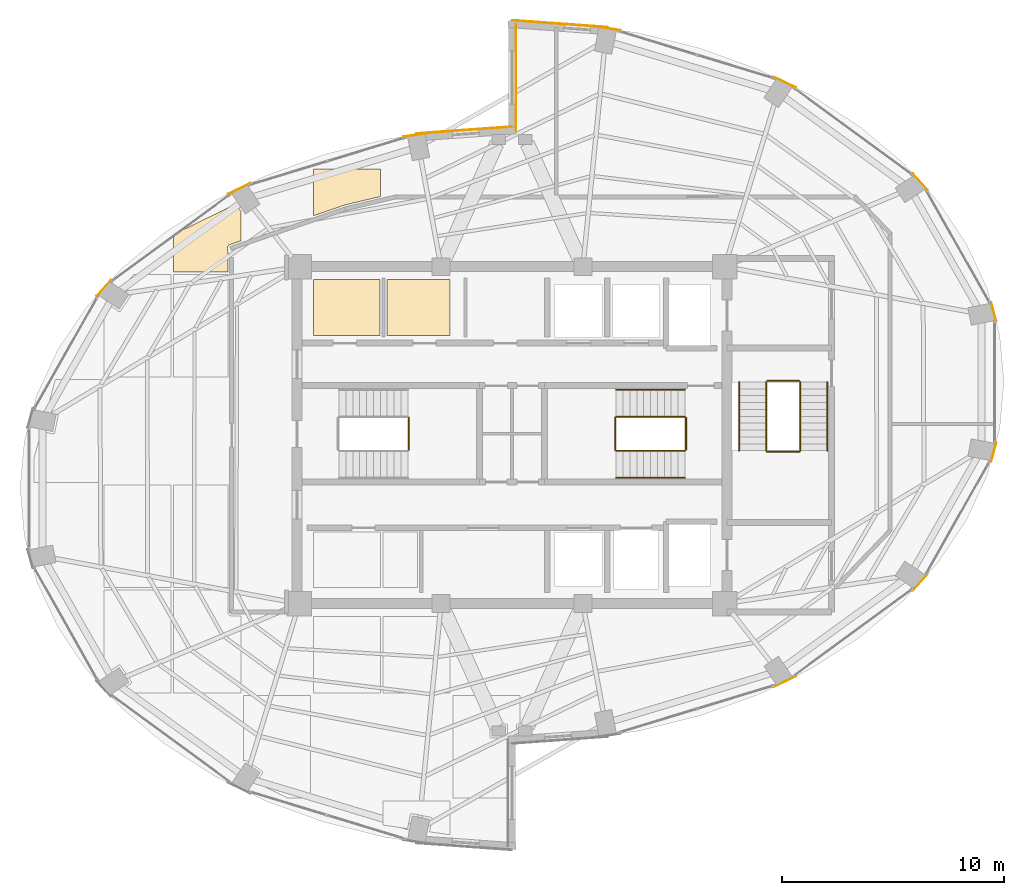
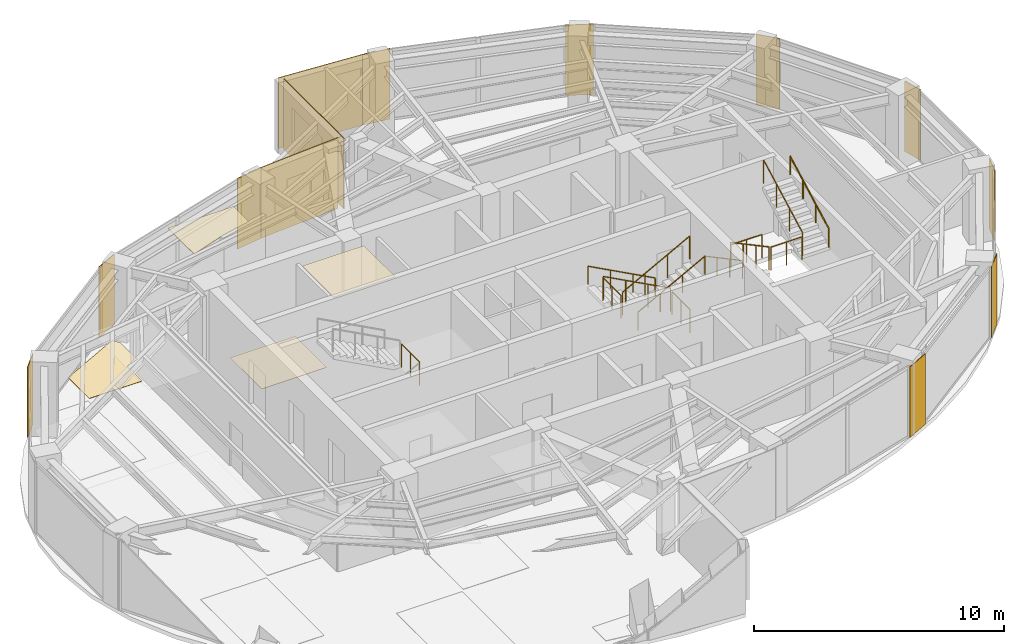
# One storey, part 22 of 22: 17 coverings, 13 railings.
"""IFC4 building model written with IfcOpenShell, lengths in metres."""

from ifc_helpers import new_model, si_unit, direction, frame, origin, origin_2d, place, context, subcontext, project, spatial, polyline, rectangle, circle, outline, extrude, material, layer, layer_set, type_object, element, save


model = new_model("IFC4")

# Units and contexts
model_context = context("Model", 3, precision=1e-05, world=origin(), true_north=direction((0.0, 1.0)))
body_context = subcontext(model_context, "Body", "Model", "MODEL_VIEW")
ifc_project = project(units=[si_unit("LENGTHUNIT", "METRE"), si_unit("AREAUNIT", "SQUARE_METRE"), si_unit("VOLUMEUNIT", "CUBIC_METRE"), si_unit("PLANEANGLEUNIT", "RADIAN"), si_unit("MASSUNIT", "GRAM", prefix="KILO")], contexts=[model_context])

# Site, building, storey
site_placement = place(None, origin())
site = spatial("IfcSite", under=ifc_project, at=site_placement, CompositionType="ELEMENT")
building_placement = place(site_placement, origin())
building = spatial("IfcBuilding", under=site, at=building_placement, Name="Lazwardi Medical Tower", CompositionType="ELEMENT")
storey_placement = place(building_placement, frame((0.0, 0.0, 258.672119140625)))
storey = spatial("IfcBuildingStorey", under=building, at=storey_placement, Name="L67", CompositionType="ELEMENT", Elevation=258.672119140625)

# Coverings
ifc_material_1 = material(Name="Anodised bronze aluminium cassette cladding", Category="aluminium")
ifc_layer_1 = layer(ifc_material_1, 0.030029296875)
ifc_layer_set_1 = layer_set([ifc_layer_1], Name="Anodised bronze aluminium cassette cladding")
covering_type_1 = type_object("IfcCoveringType", Name="COV-CLD-BRZ", PredefinedType="CLADDING", material=ifc_layer_set_1)
covering_1_placement = place(storey_placement, frame((48.311279296875, 16.878662109375, 0.0), z_axis=(0.0, 0.0, 1.0), x_axis=(0.897840141691, 0.440321564278, 0.0)))
element("IfcCovering", 1, at=covering_1_placement, inside=storey, type_object=covering_type_1, Name="L67 Mega-column bronze cassette cover M02", PredefinedType="CLADDING", context=body_context, shape_type="SweptSolid", body=[
    extrude(rectangle(XDim=1.110595703125, YDim=0.030029296875, at=origin_2d()), origin(), (0.0, 0.0, 1.0), 3.447998046875),
])
covering_2_placement = place(storey_placement, frame((54.42529296875, 21.365234375, 0.0), z_axis=(0.0, 0.0, 1.0), x_axis=(0.673240970654, 0.739423150458, 0.0)))
element("IfcCovering", 2, at=covering_2_placement, inside=storey, type_object=covering_type_1, Name="L67 Mega-column bronze cassette cover M03", PredefinedType="CLADDING", context=body_context, shape_type="SweptSolid", body=[
    extrude(rectangle(XDim=0.98974609375, YDim=0.030029296875, at=origin_2d()), origin(), (0.0, 0.0, 1.0), 3.447998046875),
])
for number, where, z_axis, x_axis, name in (
    (3, (57.734130859375, 27.227294921875, 0.0), (0.0, 0.0, 1.0), (0.261641748247, 0.96516506131, 0.0), "L67 Mega-column bronze cassette cover M04"),
    (4, (57.734130859375, 33.572509765625, 0.0), (0.0, 0.0, 1.0), (-0.261641748247, 0.96516506131, 0.0), "L67 Mega-column bronze cassette cover M05"),
):
    element("IfcCovering", number, at=place(storey_placement, frame(where, z_axis=z_axis, x_axis=x_axis)), inside=storey, type_object=covering_type_1, Name=name, PredefinedType="CLADDING", context=body_context, shape_type="SweptSolid", body=[
        extrude(rectangle(XDim=0.894287109375, YDim=0.030029296875, at=origin_2d()), origin(), (0.0, 0.0, 1.0), 3.447998046875),
    ])
covering_3_placement = place(storey_placement, frame((54.42529296875, 39.434814453125, 0.0), z_axis=(0.0, 0.0, 1.0), x_axis=(-0.673240970654, 0.739423150458, 0.0)))
element("IfcCovering", 5, at=covering_3_placement, inside=storey, type_object=covering_type_1, Name="L67 Mega-column bronze cassette cover M06", PredefinedType="CLADDING", context=body_context, shape_type="SweptSolid", body=[
    extrude(rectangle(XDim=0.98974609375, YDim=0.030029296875, at=origin_2d()), origin(), (0.0, 0.0, 1.0), 3.447998046875),
])
covering_4_placement = place(storey_placement, frame((48.311279296875, 43.92138671875, 0.0), z_axis=(0.0, 0.0, 1.0), x_axis=(-0.897840141691, 0.440321564278, 0.0)))
element("IfcCovering", 6, at=covering_4_placement, inside=storey, type_object=covering_type_1, Name="L67 Mega-column bronze cassette cover M07", PredefinedType="CLADDING", context=body_context, shape_type="SweptSolid", body=[
    extrude(rectangle(XDim=1.110595703125, YDim=0.030029296875, at=origin_2d()), origin(), (0.0, 0.0, 1.0), 3.447998046875),
])
for number, where, z_axis, x_axis, name in (
    (7, (40.3232421875, 46.349609375, 0.0), (0.0, 0.0, 1.0), (-0.989512431533, 0.144447733943, 0.0), "L67 Mega-column bronze cassette cover M08"),
    (8, (31.6767578125, 41.549560546875, 0.0), (0.0, 0.0, 1.0), (-0.989512431533, -0.144447733943, 0.0), "L67 Mega-column bronze cassette cover M09"),
):
    element("IfcCovering", number, at=place(storey_placement, frame(where, z_axis=z_axis, x_axis=x_axis)), inside=storey, type_object=covering_type_1, Name=name, PredefinedType="CLADDING", context=body_context, shape_type="SweptSolid", body=[
        extrude(rectangle(XDim=1.188720703125, YDim=0.030029296875, at=origin_2d()), origin(), (0.0, 0.0, 1.0), 3.447998046875),
    ])
covering_5_placement = place(storey_placement, frame((23.688720703125, 39.121337890625, 0.0), z_axis=(0.0, 0.0, 1.0), x_axis=(-0.897840141691, -0.440321564278, 0.0)))
element("IfcCovering", 9, at=covering_5_placement, inside=storey, type_object=covering_type_1, Name="L67 Mega-column bronze cassette cover M10", PredefinedType="CLADDING", context=body_context, shape_type="SweptSolid", body=[
    extrude(rectangle(XDim=1.110595703125, YDim=0.030029296875, at=origin_2d()), origin(), (0.0, 0.0, 1.0), 3.447998046875),
])
covering_6_placement = place(storey_placement, frame((17.57470703125, 34.634765625, 0.0), z_axis=(0.0, 0.0, 1.0), x_axis=(-0.673240970654, -0.739423150458, 0.0)))
element("IfcCovering", 10, at=covering_6_placement, inside=storey, type_object=covering_type_1, Name="L67 Mega-column bronze cassette cover M11", PredefinedType="CLADDING", context=body_context, shape_type="SweptSolid", body=[
    extrude(rectangle(XDim=0.98974609375, YDim=0.030029296875, at=origin_2d()), origin(), (0.0, 0.0, 1.0), 3.447998046875),
])
ifc_material_2 = material(Name="Turquoise glazed ceramic tilework cladding", Category="masonry")
ifc_layer_2 = layer(ifc_material_2, 0.034912109375)
ifc_layer_set_2 = layer_set([ifc_layer_2], Name="Turquoise glazed ceramic tilework cladding")
covering_type_2 = type_object("IfcCoveringType", Name="COV-CLD-TRQ", PredefinedType="CLADDING", material=ifc_layer_set_2)
covering_7_placement = place(storey_placement, frame((38.16259765625, 46.56005859375, 0.0), z_axis=(0.0, 0.0, 1.0), x_axis=(-0.997409491337, 0.071932653157, 0.0)))
element("IfcCovering", 11, at=covering_7_placement, inside=storey, type_object=covering_type_2, Name="L67 Turquoise glazed ceramic tilework cladding", PredefinedType="CLADDING", context=body_context, shape_type="SweptSolid", body=[
    extrude(rectangle(XDim=4.31103515625, YDim=0.034912109375, at=origin_2d()), origin(), (0.0, 0.0, 1.0), 3.447998046875),
])
covering_8_placement = place(storey_placement, frame((33.83740234375, 41.760009765625, 0.0), z_axis=(0.0, 0.0, 1.0), x_axis=(-0.997408989128, -0.071939616387, 0.0)))
element("IfcCovering", 12, at=covering_8_placement, inside=storey, type_object=covering_type_2, Name="L67 Turquoise glazed ceramic tilework cladding", PredefinedType="CLADDING", context=body_context, shape_type="SweptSolid", body=[
    extrude(rectangle(XDim=4.310546875, YDim=0.034912109375, at=origin_2d()), origin(), (0.0, 0.0, 1.0), 3.447998046875),
])
covering_9_placement = place(storey_placement, frame((36.175537109375, 44.139892578125, 0.0), z_axis=(0.0, 0.0, 1.0), x_axis=(0.0, -1.0, 0.0)))
element("IfcCovering", 13, at=covering_9_placement, inside=storey, type_object=covering_type_2, Name="L67 Turquoise glazed ceramic tilework iwan panel", PredefinedType="CLADDING", context=body_context, shape_type="SweptSolid", body=[
    extrude(rectangle(XDim=4.800048828125, YDim=0.034912109375, at=origin_2d()), origin(), (0.0, 0.0, 1.0), 3.447998046875),
])
ifc_material_3 = material(Name="Acoustic mineral fibre tile")
ifc_layer_3 = layer(ifc_material_3, 0.02490234375)
ifc_layer_set_3 = layer_set([ifc_layer_3], Name="Acoustic mineral fibre tile")
covering_type_3 = type_object("IfcCoveringType", Name="COV-CLG-01", PredefinedType="CEILING", material=ifc_layer_set_3)
covering_10_placement = place(storey_placement, frame((0.0, 0.0, 3.302978515625)))
element("IfcCovering", 14, at=covering_10_placement, inside=storey, type_object=covering_type_3, Name="L67 Clinical Acoustic Ceiling 7", PredefinedType="CEILING", context=body_context, shape_type="SweptSolid", body=[
    extrude(outline(polyline([(27.032958984375, 37.89501953125), (28.457763671875, 38.385498046875), (28.461669921875, 38.386962890625), (28.470703125, 38.389404296875), (28.474365234375, 38.390380859375), (30.06298828125, 38.76708984375), (30.06298828125, 40.00244140625), (27.032958984375, 40.00244140625), (27.032958984375, 37.89501953125)])), origin(), (0.0, 0.0, 1.0), 0.02490234375),
])
covering_11_placement = place(storey_placement, frame((0.0, 0.0, 3.302978515625)))
element("IfcCovering", 15, at=covering_11_placement, inside=storey, type_object=covering_type_3, Name="L67 Clinical Acoustic Ceiling 9", PredefinedType="CEILING", context=body_context, shape_type="SweptSolid", body=[
    extrude(outline(polyline([(33.212890625, 35.02001953125), (30.360107421875, 35.02001953125), (30.360107421875, 32.5), (33.212890625, 32.5), (33.212890625, 35.02001953125)])), origin(), (0.0, 0.0, 1.0), 0.02490234375),
])
ifc_material_4 = material(Name="Anti-static hospital vinyl sheet flooring")
ifc_layer_4 = layer(ifc_material_4, 0.014892578125)
ifc_layer_set_4 = layer_set([ifc_layer_4], Name="Anti-static hospital vinyl sheet flooring")
covering_type_4 = type_object("IfcCoveringType", Name="COV-FLR-01", PredefinedType="FLOORING", material=ifc_layer_set_4)
covering_12_placement = place(storey_placement, origin())
element("IfcCovering", 16, at=covering_12_placement, inside=storey, type_object=covering_type_4, Name="L67 Clinical Vinyl Flooring 5", PredefinedType="FLOORING", context=body_context, shape_type="SweptSolid", body=[
    extrude(outline(polyline([(23.762939453125, 38.108642578125), (23.545654296875, 38.43359375), (20.73291015625, 37.057861328125), (20.73291015625, 35.37255859375), (23.175048828125, 35.37255859375), (23.175048828125, 35.982421875), (23.175048828125, 35.986572265625), (23.175537109375, 35.99609375), (23.176513671875, 36.00439453125), (23.177978515625, 36.01416015625), (23.179443359375, 36.021484375), (23.181884765625, 36.031005859375), (23.1845703125, 36.039306640625), (23.18798828125, 36.04833984375), (23.191162109375, 36.055419921875), (23.1953125, 36.064208984375), (23.199462890625, 36.071533203125), (23.20458984375, 36.079833984375), (23.209228515625, 36.086181640625), (23.212158203125, 36.090087890625), (23.1591796875, 36.40625), (23.15869140625, 36.410400390625), (23.15771484375, 36.419921875), (23.156982421875, 36.42724609375), (23.156982421875, 36.436767578125), (23.1572265625, 36.446044921875), (23.158203125, 36.45556640625), (23.1591796875, 36.462158203125), (23.160888671875, 36.4716796875), (23.162841796875, 36.480224609375), (23.16552734375, 36.4892578125), (23.16796875, 36.49658203125), (23.171630859375, 36.50537109375), (23.1748046875, 36.512451171875), (23.17919921875, 36.52099609375), (23.183837890625, 36.5283203125), (23.189208984375, 36.536376953125), (23.19384765625, 36.54248046875), (23.199951171875, 36.550048828125), (23.205078125, 36.5556640625), (23.211669921875, 36.5625), (23.218017578125, 36.56787109375), (23.225341796875, 36.573974609375), (23.2314453125, 36.57861328125), (23.239501953125, 36.583740234375), (23.24658203125, 36.587890625), (23.2548828125, 36.59228515625), (23.2626953125, 36.595947265625), (23.271728515625, 36.599365234375), (23.27490234375, 36.6005859375), (23.762939453125, 36.768798828125), (23.762939453125, 38.108642578125)])), origin(), (0.0, 0.0, 1.0), 0.014892578125),
])
covering_13_placement = place(storey_placement, origin())
element("IfcCovering", 17, at=covering_13_placement, inside=storey, type_object=covering_type_4, Name="L67 Clinical Vinyl Flooring 8", PredefinedType="FLOORING", context=body_context, shape_type="SweptSolid", body=[
    extrude(outline(polyline([(27.032958984375, 32.5), (30.0400390625, 32.5), (30.0400390625, 35.02001953125), (27.04931640625, 35.02001953125), (27.048583984375, 35.014404296875), (27.046630859375, 35.0068359375), (27.0439453125, 34.99951171875), (27.04052734375, 34.9921875), (27.03662109375, 34.985595703125), (27.032958984375, 34.980712890625), (27.032958984375, 32.5)])), origin(), (0.0, 0.0, 1.0), 0.014892578125),
])

# Railings
ifc_material_5 = material(Name="Stainless steel Grade 316", Category="steel")
railing_type_1 = type_object("IfcRailingType", Name="RLG-GRD-1150", PredefinedType="GUARDRAIL", material=ifc_material_5)
railing_1_placement = place(storey_placement, frame((31.35009765625, 27.340087890625, 1.823974609375)))
element("IfcRailing", 18, at=railing_1_placement, inside=storey, type_object=railing_type_1, Name="L67 ST1 stair guard 2", PredefinedType="GUARDRAIL", context=body_context, shape_type="SweptSolid", body=[
    extrude(circle(Radius=0.02392578125, at=origin_2d()), frame((0.0, 0.0, 1.1259765625), z_axis=(0.0, 1.0, 0.0), x_axis=(-1.0, 0.0, 0.0)), (0.0, 0.0, 1.0), 1.43994140625),
    extrude(circle(Radius=0.02099609375, at=origin_2d()), origin(), (0.0, 0.0, 1.0), 1.099853515625),
    extrude(circle(Radius=0.02099609375, at=origin_2d()), frame((0.0, 0.719970703125, 0.0)), (0.0, 0.0, 1.0), 1.099853515625),
    extrude(circle(Radius=0.02099609375, at=origin_2d()), frame((0.0, 1.43994140625, 0.0)), (0.0, 0.0, 1.0), 1.099853515625),
])
railing_2_placement = place(storey_placement, frame((43.800048828125, 28.830078125, 0.165771484375)))
element("IfcRailing", 19, at=railing_2_placement, inside=storey, type_object=railing_type_1, Name="L67 ST2 stair guard 1", PredefinedType="GUARDRAIL", context=body_context, shape_type="SweptSolid", body=[
    extrude(circle(Radius=0.02392578125, at=origin_2d()), frame((0.0, 0.0, 1.1259765625), z_axis=(-0.881783298633, 0.0, 0.471654761719), x_axis=(0.0, -1.0, 0.0)), (0.0, 0.0, 1.0), 3.515625),
    extrude(circle(Radius=0.02099609375, at=origin_2d()), origin(), (0.0, 0.0, 1.0), 1.099853515625),
    extrude(circle(Radius=0.02099609375, at=origin_2d()), frame((-1.033447265625, 0.0, 0.552734375)), (0.0, 0.0, 1.0), 1.099853515625),
    extrude(circle(Radius=0.02099609375, at=origin_2d()), frame((-2.066650390625, 0.0, 1.10546875)), (0.0, 0.0, 1.0), 1.099853515625),
    extrude(circle(Radius=0.02099609375, at=origin_2d()), frame((-3.10009765625, 0.0, 1.658203125)), (0.0, 0.0, 1.0), 1.099853515625),
])
railing_3_placement = place(storey_placement, frame((40.64990234375, 28.780029296875, 1.823974609375)))
element("IfcRailing", 20, at=railing_3_placement, inside=storey, type_object=railing_type_1, Name="L67 ST2 stair guard 2", PredefinedType="GUARDRAIL", context=body_context, shape_type="SweptSolid", body=[
    extrude(circle(Radius=0.02392578125, at=origin_2d()), frame((0.0, 0.0, 1.1259765625), z_axis=(0.0, -1.0, 0.0), x_axis=(1.0, 0.0, 0.0)), (0.0, 0.0, 1.0), 1.43994140625),
    extrude(circle(Radius=0.02099609375, at=origin_2d()), origin(), (0.0, 0.0, 1.0), 1.099853515625),
    extrude(circle(Radius=0.02099609375, at=origin_2d()), frame((0.0, -0.719970703125, 0.0)), (0.0, 0.0, 1.0), 1.099853515625),
    extrude(circle(Radius=0.02099609375, at=origin_2d()), frame((0.0, -1.43994140625, 0.0)), (0.0, 0.0, 1.0), 1.099853515625),
])
railing_4_placement = place(storey_placement, frame((40.699951171875, 27.2900390625, 1.98974609375)))
element("IfcRailing", 21, at=railing_4_placement, inside=storey, type_object=railing_type_1, Name="L67 ST2 stair guard 3", PredefinedType="GUARDRAIL", context=body_context, shape_type="SweptSolid", body=[
    extrude(circle(Radius=0.02392578125, at=origin_2d()), frame((0.0, 0.0, 1.1259765625), z_axis=(0.881783298633, 0.0, 0.471654761719), x_axis=(0.0, 1.0, 0.0)), (0.0, 0.0, 1.0), 3.515625),
    extrude(circle(Radius=0.02099609375, at=origin_2d()), origin(), (0.0, 0.0, 1.0), 1.099853515625),
    extrude(circle(Radius=0.02099609375, at=origin_2d()), frame((1.033447265625, 0.0, 0.552734375)), (0.0, 0.0, 1.0), 1.099853515625),
    extrude(circle(Radius=0.02099609375, at=origin_2d()), frame((2.066650390625, 0.0, 1.10546875)), (0.0, 0.0, 1.0), 1.099853515625),
    extrude(circle(Radius=0.02099609375, at=origin_2d()), frame((3.10009765625, 0.0, 1.658203125)), (0.0, 0.0, 1.0), 1.099853515625),
])
railing_5_placement = place(storey_placement, frame((43.85009765625, 28.780029296875, 0.0)))
element("IfcRailing", 22, at=railing_5_placement, inside=storey, type_object=railing_type_1, Name="L67 ST2 stair guard 4", PredefinedType="GUARDRAIL", context=body_context, shape_type="SweptSolid", body=[
    extrude(circle(Radius=0.02392578125, at=origin_2d()), frame((0.0, 0.0, 1.1259765625), z_axis=(0.0, -1.0, 0.0), x_axis=(1.0, 0.0, 0.0)), (0.0, 0.0, 1.0), 1.43994140625),
    extrude(circle(Radius=0.02099609375, at=origin_2d()), origin(), (0.0, 0.0, 1.0), 1.099853515625),
    extrude(circle(Radius=0.02099609375, at=origin_2d()), frame((0.0, -0.719970703125, 0.0)), (0.0, 0.0, 1.0), 1.099853515625),
    extrude(circle(Radius=0.02099609375, at=origin_2d()), frame((0.0, -1.43994140625, 0.0)), (0.0, 0.0, 1.0), 1.099853515625),
])
railing_6_placement = place(storey_placement, frame((47.469970703125, 30.39990234375, 0.165771484375)))
element("IfcRailing", 23, at=railing_6_placement, inside=storey, type_object=railing_type_1, Name="L67 ST3 stair guard 1", PredefinedType="GUARDRAIL", context=body_context, shape_type="SweptSolid", body=[
    extrude(circle(Radius=0.02392578125, at=origin_2d()), frame((0.0, 0.0, 1.1259765625), z_axis=(0.0, -0.881767849116, 0.471683644262), x_axis=(1.0, 0.0, 0.0)), (0.0, 0.0, 1.0), 3.515380859375),
    extrude(circle(Radius=0.02099609375, at=origin_2d()), origin(), (0.0, 0.0, 1.0), 1.099853515625),
    extrude(circle(Radius=0.02099609375, at=origin_2d()), frame((0.0, -1.033203125, 0.552734375)), (0.0, 0.0, 1.0), 1.099853515625),
    extrude(circle(Radius=0.02099609375, at=origin_2d()), frame((0.0, -2.066650390625, 1.10546875)), (0.0, 0.0, 1.0), 1.099853515625),
    extrude(circle(Radius=0.02099609375, at=origin_2d()), frame((0.0, -3.099853515625, 1.658203125)), (0.0, 0.0, 1.0), 1.099853515625),
])
railing_7_placement = place(storey_placement, frame((47.52001953125, 27.25, 1.823974609375)))
element("IfcRailing", 24, at=railing_7_placement, inside=storey, type_object=railing_type_1, Name="L67 ST3 stair guard 2", PredefinedType="GUARDRAIL", context=body_context, shape_type="SweptSolid", body=[
    extrude(circle(Radius=0.02392578125, at=origin_2d()), frame((0.0, 0.0, 1.1259765625), z_axis=(1.0, 0.0, 0.0), x_axis=(0.0, 1.0, 0.0)), (0.0, 0.0, 1.0), 1.43994140625),
    extrude(circle(Radius=0.02099609375, at=origin_2d()), origin(), (0.0, 0.0, 1.0), 1.099853515625),
    extrude(circle(Radius=0.02099609375, at=origin_2d()), frame((0.719970703125, 0.0, 0.0)), (0.0, 0.0, 1.0), 1.099853515625),
    extrude(circle(Radius=0.02099609375, at=origin_2d()), frame((1.43994140625, 0.0, 0.0)), (0.0, 0.0, 1.0), 1.099853515625),
])
railing_8_placement = place(storey_placement, frame((49.010009765625, 27.300048828125, 1.98974609375)))
element("IfcRailing", 25, at=railing_8_placement, inside=storey, type_object=railing_type_1, Name="L67 ST3 stair guard 3", PredefinedType="GUARDRAIL", context=body_context, shape_type="SweptSolid", body=[
    extrude(circle(Radius=0.02392578125, at=origin_2d()), frame((0.0, 0.0, 1.1259765625), z_axis=(0.0, 0.881767849116, 0.471683644262), x_axis=(-1.0, 0.0, 0.0)), (0.0, 0.0, 1.0), 3.515380859375),
    extrude(circle(Radius=0.02099609375, at=origin_2d()), origin(), (0.0, 0.0, 1.0), 1.099853515625),
    extrude(circle(Radius=0.02099609375, at=origin_2d()), frame((0.0, 1.033203125, 0.552734375)), (0.0, 0.0, 1.0), 1.099853515625),
    extrude(circle(Radius=0.02099609375, at=origin_2d()), frame((0.0, 2.066650390625, 1.10546875)), (0.0, 0.0, 1.0), 1.099853515625),
    extrude(circle(Radius=0.02099609375, at=origin_2d()), frame((0.0, 3.099853515625, 1.658203125)), (0.0, 0.0, 1.0), 1.099853515625),
])
railing_9_placement = place(storey_placement, frame((47.52001953125, 30.449951171875, 0.0)))
element("IfcRailing", 26, at=railing_9_placement, inside=storey, type_object=railing_type_1, Name="L67 ST3 stair guard 4", PredefinedType="GUARDRAIL", context=body_context, shape_type="SweptSolid", body=[
    extrude(circle(Radius=0.02392578125, at=origin_2d()), frame((0.0, 0.0, 1.1259765625), z_axis=(1.0, 0.0, 0.0), x_axis=(0.0, 1.0, 0.0)), (0.0, 0.0, 1.0), 1.43994140625),
    extrude(circle(Radius=0.02099609375, at=origin_2d()), origin(), (0.0, 0.0, 1.0), 1.099853515625),
    extrude(circle(Radius=0.02099609375, at=origin_2d()), frame((0.719970703125, 0.0, 0.0)), (0.0, 0.0, 1.0), 1.099853515625),
    extrude(circle(Radius=0.02099609375, at=origin_2d()), frame((1.43994140625, 0.0, 0.0)), (0.0, 0.0, 1.0), 1.099853515625),
])
railing_type_2 = type_object("IfcRailingType", Name="RLG-HND-920", PredefinedType="HANDRAIL", material=ifc_material_5)
railing_10_placement = place(storey_placement, frame((43.800048828125, 30.050048828125, 0.165771484375)))
element("IfcRailing", 27, at=railing_10_placement, inside=storey, type_object=railing_type_2, Name="L67 ST2 stair handrail 1", PredefinedType="HANDRAIL", context=body_context, shape_type="SweptSolid", body=[
    extrude(circle(Radius=0.02392578125, at=origin_2d()), frame((0.0, 0.0, 0.8857421875), z_axis=(-0.881783298633, 0.0, 0.471654761719), x_axis=(0.0, -1.0, 0.0)), (0.0, 0.0, 1.0), 3.515625),
    extrude(circle(Radius=0.02099609375, at=origin_2d()), origin(), (0.0, 0.0, 1.0), 0.85986328125),
    extrude(circle(Radius=0.02099609375, at=origin_2d()), frame((-1.033447265625, 0.0, 0.552734375)), (0.0, 0.0, 1.0), 0.85986328125),
    extrude(circle(Radius=0.02099609375, at=origin_2d()), frame((-2.066650390625, 0.0, 1.10546875)), (0.0, 0.0, 1.0), 0.85986328125),
    extrude(circle(Radius=0.02099609375, at=origin_2d()), frame((-3.10009765625, 0.0, 1.658203125)), (0.0, 0.0, 1.0), 0.85986328125),
])
railing_11_placement = place(storey_placement, frame((40.699951171875, 26.070068359375, 1.98974609375)))
element("IfcRailing", 28, at=railing_11_placement, inside=storey, type_object=railing_type_2, Name="L67 ST2 stair handrail 2", PredefinedType="HANDRAIL", context=body_context, shape_type="SweptSolid", body=[
    extrude(circle(Radius=0.02392578125, at=origin_2d()), frame((0.0, 0.0, 0.8857421875), z_axis=(0.881783298633, 0.0, 0.471654761719), x_axis=(0.0, 1.0, 0.0)), (0.0, 0.0, 1.0), 3.515625),
    extrude(circle(Radius=0.02099609375, at=origin_2d()), origin(), (0.0, 0.0, 1.0), 0.85986328125),
    extrude(circle(Radius=0.02099609375, at=origin_2d()), frame((1.033447265625, 0.0, 0.552734375)), (0.0, 0.0, 1.0), 0.85986328125),
    extrude(circle(Radius=0.02099609375, at=origin_2d()), frame((2.066650390625, 0.0, 1.10546875)), (0.0, 0.0, 1.0), 0.85986328125),
    extrude(circle(Radius=0.02099609375, at=origin_2d()), frame((3.10009765625, 0.0, 1.658203125)), (0.0, 0.0, 1.0), 0.85986328125),
])
railing_12_placement = place(storey_placement, frame((46.25, 30.39990234375, 0.165771484375)))
element("IfcRailing", 29, at=railing_12_placement, inside=storey, type_object=railing_type_2, Name="L67 ST3 stair handrail 1", PredefinedType="HANDRAIL", context=body_context, shape_type="SweptSolid", body=[
    extrude(circle(Radius=0.02392578125, at=origin_2d()), frame((0.0, 0.0, 0.8857421875), z_axis=(0.0, -0.881767849116, 0.471683644262), x_axis=(1.0, 0.0, 0.0)), (0.0, 0.0, 1.0), 3.515380859375),
    extrude(circle(Radius=0.02099609375, at=origin_2d()), origin(), (0.0, 0.0, 1.0), 0.85986328125),
    extrude(circle(Radius=0.02099609375, at=origin_2d()), frame((0.0, -1.033203125, 0.552734375)), (0.0, 0.0, 1.0), 0.85986328125),
    extrude(circle(Radius=0.02099609375, at=origin_2d()), frame((0.0, -2.066650390625, 1.10546875)), (0.0, 0.0, 1.0), 0.85986328125),
    extrude(circle(Radius=0.02099609375, at=origin_2d()), frame((0.0, -3.099853515625, 1.658203125)), (0.0, 0.0, 1.0), 0.85986328125),
])
railing_13_placement = place(storey_placement, frame((50.22998046875, 27.300048828125, 1.98974609375)))
element("IfcRailing", 30, at=railing_13_placement, inside=storey, type_object=railing_type_2, Name="L67 ST3 stair handrail 2", PredefinedType="HANDRAIL", context=body_context, shape_type="SweptSolid", body=[
    extrude(circle(Radius=0.02392578125, at=origin_2d()), frame((0.0, 0.0, 0.8857421875), z_axis=(0.0, 0.881767849116, 0.471683644262), x_axis=(-1.0, 0.0, 0.0)), (0.0, 0.0, 1.0), 3.515380859375),
    extrude(circle(Radius=0.02099609375, at=origin_2d()), origin(), (0.0, 0.0, 1.0), 0.85986328125),
    extrude(circle(Radius=0.02099609375, at=origin_2d()), frame((0.0, 1.033203125, 0.552734375)), (0.0, 0.0, 1.0), 0.85986328125),
    extrude(circle(Radius=0.02099609375, at=origin_2d()), frame((0.0, 2.066650390625, 1.10546875)), (0.0, 0.0, 1.0), 0.85986328125),
    extrude(circle(Radius=0.02099609375, at=origin_2d()), frame((0.0, 3.099853515625, 1.658203125)), (0.0, 0.0, 1.0), 0.85986328125),
])

save(model, "model.ifc")
